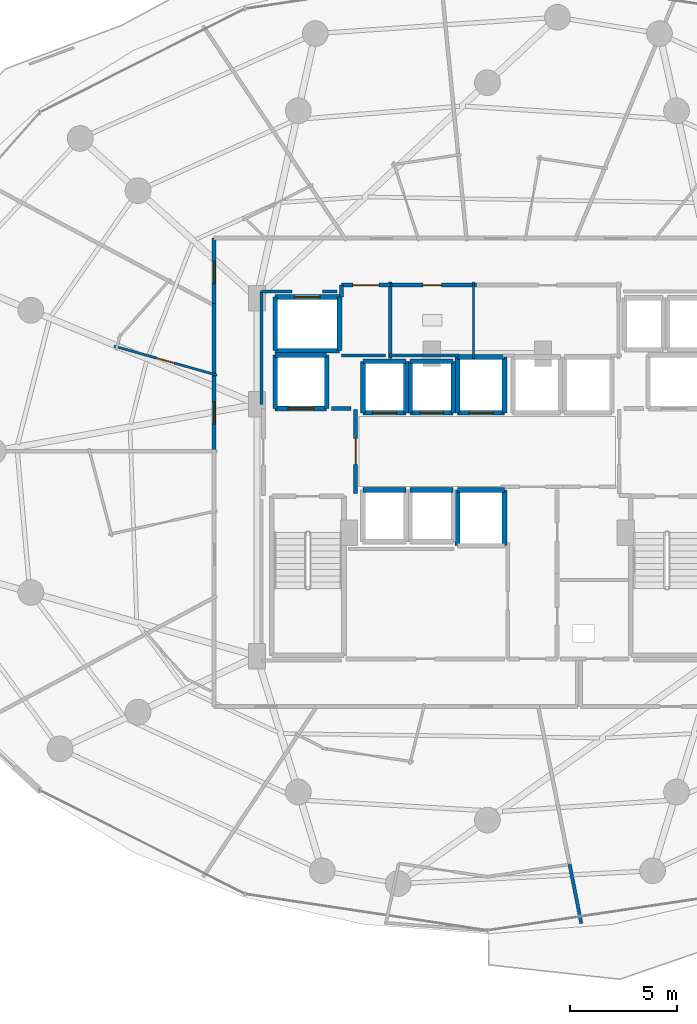
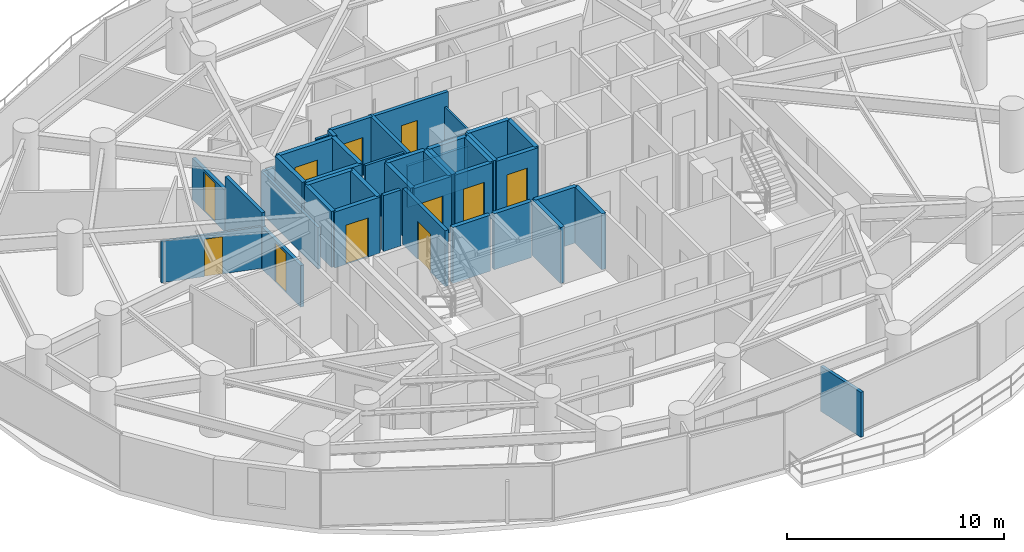
# One storey, part 27 of 34: 42 walls, 11 doors, 11 openings.
"""IFC4 building model written with IfcOpenShell, lengths in metres."""

from ifc_helpers import new_model, si_unit, direction, frame, frame_2d, origin, place, context, subcontext, project, spatial, rectangle, extrude, material, layer, layer_set, type_object, element, fill, save


model = new_model("IFC4")

# Units and contexts
model_context = context("Model", 3, precision=1e-05, world=origin(), true_north=direction((0.0, 1.0)))
body_context = subcontext(model_context, "Body", "Model", "MODEL_VIEW")
ifc_project = project(units=[si_unit("LENGTHUNIT", "METRE"), si_unit("AREAUNIT", "SQUARE_METRE"), si_unit("VOLUMEUNIT", "CUBIC_METRE"), si_unit("PLANEANGLEUNIT", "RADIAN"), si_unit("MASSUNIT", "GRAM", prefix="KILO")], contexts=[model_context])

# Site, building, storey
site_placement = place(None, origin())
site = spatial("IfcSite", under=ifc_project, at=site_placement, CompositionType="ELEMENT")
building_placement = place(site_placement, origin())
building = spatial("IfcBuilding", under=site, at=building_placement, Name="Vorneva Point Tower", CompositionType="ELEMENT")
storey_placement = place(building_placement, frame((0.0, 0.0, 66.0)))
storey = spatial("IfcBuildingStorey", under=building, at=storey_placement, Name="L17", CompositionType="ELEMENT", Elevation=66.0)

# Wall, opening, door
ifc_material_1 = material(Name="Concrete B60 (C50/60)", Category="concrete")
ifc_layer_1 = layer(ifc_material_1, 0.5)
ifc_layer_set_1 = layer_set([ifc_layer_1], Name="Concrete B60 (C50/60)")
wall_type_1 = type_object("IfcWallType", Name="WL-CORE-500", PredefinedType="SHEAR", material=ifc_layer_set_1)
wall_1_placement = place(storey_placement, frame((28.10009765625, 28.0, 0.0), z_axis=(0.0, 0.0, 1.0), x_axis=(1.0, 0.0, 0.0)))
wall_1 = element("IfcWall", 1, at=wall_1_placement, inside=storey, type_object=wall_type_1, Name="L17 Lift FFL1 Shaft Wall -Y", PredefinedType="SHEAR", context=body_context, shape_type="SweptSolid", body=[
    extrude(rectangle(XDim=2.39990234375, YDim=0.219970703125, at=frame_2d((1.199951171875, 0.0))), origin(), (0.0, 0.0, 1.0), 3.14990234375),
])
opening_1_placement = place(wall_1_placement, frame((0.60009765625, 0.0, 0.0)))
opening_1 = element("IfcOpeningElement", 2, at=opening_1_placement, cuts=wall_1, Name="Opening LD-02", PredefinedType="OPENING", context=body_context, shape_type="SweptSolid", body=[
    extrude(rectangle(XDim=1.199951171875, YDim=2.199951171875, at=frame_2d((0.60009765625, 1.10009765625))), frame((0.0, 0.125, 0.0), z_axis=(0.0, -1.0, 0.0), x_axis=(1.0, 0.0, 0.0)), (0.0, 0.0, 1.0), 0.249755859375),
])
ifc_material_2 = material(Name="Brushed stainless steel S304", Category="steel")
door_type_1 = type_object("IfcDoorType", Name="LD-FIRE-1200", OperationType="SLIDING_TO_LEFT", PredefinedType="DOOR", material=ifc_material_2)
door_1_placement = place(opening_1_placement, origin())
door_1 = element("IfcDoor", 3, at=door_1_placement, inside=storey, type_object=door_type_1, Name="L17 Lift FFL1 Sliding Landing Door", OperationType="SLIDING_TO_LEFT", OverallHeight=2.199951171875, OverallWidth=1.199951171875, PredefinedType="DOOR", context=body_context, shape_type="SweptSolid", body=[
    extrude(rectangle(XDim=1.199951171875, YDim=2.199951171875, at=frame_2d((0.60009765625, 1.10009765625))), frame((0.0, 0.02490234375, 0.0), z_axis=(0.0, -1.0, 0.0), x_axis=(1.0, 0.0, 0.0)), (0.0, 0.0, 1.0), 0.050048828125),
])
fill(opening_1, door_1)

# Walls
wall_2_placement = place(storey_placement, frame((30.5, 28.0, 0.0), z_axis=(0.0, 0.0, 1.0), x_axis=(0.0, 1.0, 0.0)))
element("IfcWall", 4, at=wall_2_placement, inside=storey, type_object=wall_type_1, Name="L17 Lift FFL1 Shaft Wall +X", PredefinedType="SHEAR", context=body_context, shape_type="SweptSolid", body=[
    extrude(rectangle(XDim=2.5, YDim=0.219970703125, at=frame_2d((1.25, 0.0))), origin(), (0.0, 0.0, 1.0), 3.14990234375),
])
wall_3_placement = place(storey_placement, frame((30.5, 30.5, 0.0), z_axis=(0.0, 0.0, 1.0), x_axis=(-1.0, 0.0, 0.0)))
element("IfcWall", 5, at=wall_3_placement, inside=storey, type_object=wall_type_1, Name="L17 Lift FFL1 Shaft Wall +Y", PredefinedType="SHEAR", context=body_context, shape_type="SweptSolid", body=[
    extrude(rectangle(XDim=2.39990234375, YDim=0.219970703125, at=frame_2d((1.199951171875, 0.0))), origin(), (0.0, 0.0, 1.0), 3.14990234375),
])
wall_4_placement = place(storey_placement, frame((28.10009765625, 30.5, 0.0), z_axis=(0.0, 0.0, 1.0), x_axis=(0.0, -1.0, 0.0)))
element("IfcWall", 6, at=wall_4_placement, inside=storey, type_object=wall_type_1, Name="L17 Lift FFL1 Shaft Wall -X", PredefinedType="SHEAR", context=body_context, shape_type="SweptSolid", body=[
    extrude(rectangle(XDim=2.5, YDim=0.219970703125, at=frame_2d((1.25, 0.0))), origin(), (0.0, 0.0, 1.0), 3.14990234375),
])
ifc_material_3 = material(Name="Fire-rated acoustic gypsum stud partition", Category="gypsum")
ifc_layer_2 = layer(ifc_material_3, 0.110107421875)
ifc_layer_set_2 = layer_set([ifc_layer_2], Name="Fire-rated acoustic gypsum stud partition")
wall_type_2 = type_object("IfcWallType", Name="WL-PART-110", PredefinedType="PARTITIONING", material=ifc_layer_set_2)
wall_5_placement = place(storey_placement, frame((37.35009765625, 30.340087890625, 0.0), z_axis=(0.0, 0.0, 1.0), x_axis=(0.0, 1.0, 0.0)))
element("IfcWall", 7, at=wall_5_placement, inside=storey, type_object=wall_type_2, Name="L17 Interior Partition 017", PredefinedType="PARTITIONING", context=body_context, shape_type="SweptSolid", body=[
    extrude(rectangle(XDim=3.559814453125, YDim=0.110107421875, at=frame_2d((1.77978515625, 0.0))), origin(), (0.0, 0.0, 1.0), 2.342041015625),
])

# Wall, opening, door
wall_6_placement = place(storey_placement, frame((25.384765625, 29.55810546875, 0.0), z_axis=(0.0, 0.0, 1.0), x_axis=(-0.962466408657, 0.271400833098, 0.0)))
wall_6 = element("IfcWall", 8, at=wall_6_placement, inside=storey, type_object=wall_type_2, Name="L17 Interior Partition 072", PredefinedType="PARTITIONING", context=body_context, shape_type="SweptSolid", body=[
    extrude(rectangle(XDim=4.984375, YDim=0.110107421875, at=frame_2d((2.4921875, 0.0))), origin(), (0.0, 0.0, 1.0), 2.342041015625),
])
opening_2_placement = place(wall_6_placement, frame((2.0673828125, 0.0, 0.0)))
opening_2 = element("IfcOpeningElement", 9, at=opening_2_placement, cuts=wall_6, Name="Opening ID-02", PredefinedType="OPENING", context=body_context, shape_type="SweptSolid", body=[
    extrude(rectangle(XDim=0.85009765625, YDim=2.10009765625, at=frame_2d((0.425048828125, 1.050048828125))), frame((0.0, 0.06982421875, 0.0), z_axis=(0.0, -1.0, 0.0), x_axis=(1.0, 0.0, 0.0)), (0.0, 0.0, 1.0), 0.139892578125),
])
ifc_material_4 = material(Name="Engineered oak fire-rated door leaf", Category="wood")
door_type_2 = type_object("IfcDoorType", Name="DR-BATH-850", OperationType="NOTDEFINED", PredefinedType="DOOR", material=ifc_material_4)
door_2_placement = place(opening_2_placement, origin())
door_2 = element("IfcDoor", 10, at=door_2_placement, inside=storey, type_object=door_type_2, Name="L17 Door Junior Suite L17-06 / En-Suite Bathroom L17-06", OperationType="SINGLE_SWING_RIGHT", OverallHeight=2.10009765625, OverallWidth=0.85009765625, PredefinedType="DOOR", context=body_context, shape_type="SweptSolid", body=[
    extrude(rectangle(XDim=0.85009765625, YDim=2.10009765625, at=frame_2d((0.425048828125, 1.050048828125))), frame((0.0, 0.02490234375, 0.0), z_axis=(0.0, -1.0, 0.0), x_axis=(1.0, 0.0, 0.0)), (0.0, 0.0, 1.0), 0.050048828125),
])
fill(opening_2, door_2)

# Walls
ifc_layer_3 = layer(ifc_material_3, 0.139892578125)
ifc_layer_set_3 = layer_set([ifc_layer_3], Name="Fire-rated acoustic gypsum stud partition")
wall_type_3 = type_object("IfcWallType", Name="WL-PART-140", PredefinedType="PARTITIONING", material=ifc_layer_set_3)
wall_7_placement = place(storey_placement, frame((31.199951171875, 30.47998046875, 0.0), z_axis=(0.0, 0.0, 1.0), x_axis=(1.0, 0.0, 0.0)))
element("IfcWall", 11, at=wall_7_placement, inside=storey, type_object=wall_type_3, Name="L17 Interior Closure Partition 094", PredefinedType="PARTITIONING", context=body_context, shape_type="SweptSolid", body=[
    extrude(rectangle(XDim=2.050048828125, YDim=0.139892578125, at=frame_2d((1.02490234375, 0.0))), origin(), (0.0, 0.0, 1.0), 3.14990234375),
])
wall_8_placement = place(storey_placement, frame((33.43994140625, 30.47998046875, 0.0), z_axis=(0.0, 0.0, 1.0), x_axis=(1.0, 0.0, 0.0)))
element("IfcWall", 12, at=wall_8_placement, inside=storey, type_object=wall_type_3, Name="L17 Interior Closure Partition 095", PredefinedType="PARTITIONING", context=body_context, shape_type="SweptSolid", body=[
    extrude(rectangle(XDim=3.22509765625, YDim=0.139892578125, at=frame_2d((1.612548828125, 0.0))), origin(), (0.0, 0.0, 1.0), 2.342041015625),
])
wall_9_placement = place(storey_placement, frame((27.449951171875, 28.196044921875, 0.0), z_axis=(0.0, 0.0, 1.0), x_axis=(0.0, 1.0, 0.0)))
element("IfcWall", 13, at=wall_9_placement, inside=storey, type_object=wall_type_3, Name="L17 Interior Closure Partition 106", PredefinedType="PARTITIONING", context=body_context, shape_type="SweptSolid", body=[
    extrude(rectangle(XDim=5.25390625, YDim=0.139892578125, at=frame_2d((2.626953125, 0.0))), origin(), (0.0, 0.0, 1.0), 2.342041015625),
])
wall_10_placement = place(storey_placement, frame((27.449951171875, 33.449951171875, 0.0), z_axis=(0.0, 0.0, 1.0), x_axis=(1.0, 0.0, 0.0)))
element("IfcWall", 14, at=wall_10_placement, inside=storey, type_object=wall_type_3, Name="L17 Interior Closure Partition 107", PredefinedType="PARTITIONING", context=body_context, shape_type="SweptSolid", body=[
    extrude(rectangle(XDim=1.444091796875, YDim=0.139892578125, at=frame_2d((0.72216796875, 0.0))), origin(), (0.0, 0.0, 1.0), 2.342041015625),
])
wall_11_placement = place(storey_placement, frame((30.305908203125, 33.449951171875, 0.0), z_axis=(0.0, 0.0, 1.0), x_axis=(1.0, 0.0, 0.0)))
element("IfcWall", 15, at=wall_11_placement, inside=storey, type_object=wall_type_3, Name="L17 Interior Closure Partition 108", PredefinedType="PARTITIONING", context=body_context, shape_type="SweptSolid", body=[
    extrude(rectangle(XDim=0.674072265625, YDim=0.139892578125, at=frame_2d((0.3369140625, 0.0))), origin(), (0.0, 0.0, 1.0), 3.14990234375),
])
ifc_layer_4 = layer(ifc_material_3, 0.159912109375)
ifc_layer_set_4 = layer_set([ifc_layer_4], Name="Fire-rated acoustic gypsum stud partition")
wall_type_4 = type_object("IfcWallType", Name="WL-PART-160", PredefinedType="PARTITIONING", material=ifc_layer_set_4)
wall_12_placement = place(storey_placement, frame((42.381103515625, 3.97705078125, 0.0), z_axis=(0.0, 0.0, 1.0), x_axis=(-0.195063341769, 0.980790646722, 0.0)))
element("IfcWall", 16, at=wall_12_placement, inside=storey, type_object=wall_type_4, Name="L17 Interior Partition 090", PredefinedType="PARTITIONING", context=body_context, shape_type="SweptSolid", body=[
    extrude(rectangle(XDim=2.809814453125, YDim=0.159912109375, at=frame_2d((1.40478515625, 0.0))), origin(), (0.0, 0.0, 1.0), 2.533935546875),
])

# Wall, opening, door
ifc_material_5 = material(Name="Autoclaved aerated concrete blockwork", Category="masonry")
ifc_layer_5 = layer(ifc_material_5, 0.179931640625)
ifc_layer_set_5 = layer_set([ifc_layer_5], Name="Autoclaved aerated concrete blockwork")
wall_type_5 = type_object("IfcWallType", Name="WL-PART-180", PredefinedType="PARTITIONING", material=ifc_layer_set_5)
wall_13_placement = place(storey_placement, frame((31.85009765625, 24.044921875, 0.0), z_axis=(0.0, 0.0, 1.0), x_axis=(0.0, 1.0, 0.0)))
wall_13 = element("IfcWall", 17, at=wall_13_placement, inside=storey, type_object=wall_type_5, Name="L17 Interior Partition 001", PredefinedType="PARTITIONING", context=body_context, shape_type="SweptSolid", body=[
    extrude(rectangle(XDim=3.91015625, YDim=0.179931640625, at=frame_2d((1.955078125, 0.0))), origin(), (0.0, 0.0, 1.0), 3.14990234375),
])
opening_3_placement = place(wall_13_placement, frame((1.35498046875, 0.0, 0.0)))
opening_3 = element("IfcOpeningElement", 18, at=opening_3_placement, cuts=wall_13, Name="Opening FD-02", PredefinedType="OPENING", context=body_context, shape_type="SweptSolid", body=[
    extrude(rectangle(XDim=1.199951171875, YDim=2.14990234375, at=frame_2d((0.60009765625, 1.074951171875))), frame((0.0, 0.10498046875, 0.0), z_axis=(0.0, -1.0, 0.0), x_axis=(1.0, 0.0, 0.0)), (0.0, 0.0, 1.0), 0.209716796875),
])
ifc_material_6 = material(Name="Fire-rated powder-coated steel", Category="steel")
door_type_3 = type_object("IfcDoorType", Name="DR-FFL-1200", OperationType="NOTDEFINED", PredefinedType="DOOR", material=ifc_material_6)
door_3_placement = place(opening_3_placement, origin())
door_3 = element("IfcDoor", 19, at=door_3_placement, inside=storey, type_object=door_type_3, Name="L17 Door West Firefighting Lobby / Central Lift Lobby", OperationType="SINGLE_SWING_LEFT", OverallHeight=2.14990234375, OverallWidth=1.199951171875, PredefinedType="DOOR", context=body_context, shape_type="SweptSolid", body=[
    extrude(rectangle(XDim=1.199951171875, YDim=2.14990234375, at=frame_2d((0.60009765625, 1.074951171875))), frame((0.0, 0.02490234375, 0.0), z_axis=(0.0, -1.0, 0.0), x_axis=(1.0, 0.0, 0.0)), (0.0, 0.0, 1.0), 0.050048828125),
])
fill(opening_3, door_3)

# Wall
wall_14_placement = place(storey_placement, frame((33.469970703125, 30.340087890625, 0.0), z_axis=(0.0, 0.0, 1.0), x_axis=(0.0, 1.0, 0.0)))
element("IfcWall", 20, at=wall_14_placement, inside=storey, type_object=wall_type_5, Name="L17 Interior Partition 006", PredefinedType="PARTITIONING", context=body_context, shape_type="SweptSolid", body=[
    extrude(rectangle(XDim=3.559814453125, YDim=0.179931640625, at=frame_2d((1.77978515625, 0.0))), origin(), (0.0, 0.0, 1.0), 3.14990234375),
])

# Wall, opening, door
wall_15_placement = place(storey_placement, frame((33.469970703125, 33.760009765625, 0.0), z_axis=(0.0, 0.0, 1.0), x_axis=(-1.0, 0.0, 0.0)))
wall_15 = element("IfcWall", 21, at=wall_15_placement, inside=storey, type_object=wall_type_5, Name="L17 Interior Partition 007", PredefinedType="PARTITIONING", context=body_context, shape_type="SweptSolid", body=[
    extrude(rectangle(XDim=2.27001953125, YDim=0.179931640625, at=frame_2d((1.135009765625, 0.0))), origin(), (0.0, 0.0, 1.0), 3.14990234375),
])
opening_4_placement = place(wall_15_placement, frame((0.534912109375, 0.0, 0.0)))
opening_4 = element("IfcOpeningElement", 22, at=opening_4_placement, cuts=wall_15, Name="Opening FD-02", PredefinedType="OPENING", context=body_context, shape_type="SweptSolid", body=[
    extrude(rectangle(XDim=1.199951171875, YDim=2.14990234375, at=frame_2d((0.60009765625, 1.074951171875))), frame((0.0, 0.10498046875, 0.0), z_axis=(0.0, -1.0, 0.0), x_axis=(1.0, 0.0, 0.0)), (0.0, 0.0, 1.0), 0.209716796875),
])
door_4_placement = place(opening_4_placement, origin())
door_4 = element("IfcDoor", 23, at=door_4_placement, inside=storey, type_object=door_type_3, Name="L17 Door Service Lift Lobby / L17 Circulation Corridor", OperationType="SINGLE_SWING_LEFT", OverallHeight=2.14990234375, OverallWidth=1.199951171875, PredefinedType="DOOR", context=body_context, shape_type="SweptSolid", body=[
    extrude(rectangle(XDim=1.199951171875, YDim=2.14990234375, at=frame_2d((0.60009765625, 1.074951171875))), frame((0.0, 0.02490234375, 0.0), z_axis=(0.0, -1.0, 0.0), x_axis=(1.0, 0.0, 0.0)), (0.0, 0.0, 1.0), 0.050048828125),
])
fill(opening_4, door_4)

# Wall
wall_16_placement = place(storey_placement, frame((31.199951171875, 33.760009765625, 0.0), z_axis=(0.0, 0.0, 1.0), x_axis=(0.0, -1.0, 0.0)))
element("IfcWall", 24, at=wall_16_placement, inside=storey, type_object=wall_type_5, Name="L17 Interior Partition 008", PredefinedType="PARTITIONING", context=body_context, shape_type="SweptSolid", body=[
    extrude(rectangle(XDim=0.56005859375, YDim=0.179931640625, at=frame_2d((0.280029296875, 0.0))), origin(), (0.0, 0.0, 1.0), 3.14990234375),
])

# Wall, opening, door
wall_17_placement = place(storey_placement, frame((37.489990234375, 33.760009765625, 0.0), z_axis=(0.0, 0.0, 1.0), x_axis=(-1.0, 0.0, 0.0)))
wall_17 = element("IfcWall", 25, at=wall_17_placement, inside=storey, type_object=wall_type_5, Name="L17 Interior Partition 018", PredefinedType="PARTITIONING", context=body_context, shape_type="SweptSolid", body=[
    extrude(rectangle(XDim=4.1298828125, YDim=0.179931640625, at=frame_2d((2.06494140625, 0.0))), origin(), (0.0, 0.0, 1.0), 3.14990234375),
])
opening_5_placement = place(wall_17_placement, frame((1.639892578125, 0.0, 0.0)))
opening_5 = element("IfcOpeningElement", 26, at=opening_5_placement, cuts=wall_17, Name="Opening ID-02", PredefinedType="OPENING", context=body_context, shape_type="SweptSolid", body=[
    extrude(rectangle(XDim=0.85009765625, YDim=2.10009765625, at=frame_2d((0.425048828125, 1.050048828125))), frame((0.0, 0.10498046875, 0.0), z_axis=(0.0, -1.0, 0.0), x_axis=(1.0, 0.0, 0.0)), (0.0, 0.0, 1.0), 0.209716796875),
])
door_5_placement = place(opening_5_placement, origin())
door_5 = element("IfcDoor", 27, at=door_5_placement, inside=storey, type_object=door_type_2, Name="L17 Door Accessible WC / L17 Circulation Corridor", OperationType="SINGLE_SWING_LEFT", OverallHeight=2.10009765625, OverallWidth=0.85009765625, PredefinedType="DOOR", context=body_context, shape_type="SweptSolid", body=[
    extrude(rectangle(XDim=0.85009765625, YDim=2.10009765625, at=frame_2d((0.425048828125, 1.050048828125))), frame((0.0, 0.02490234375, 0.0), z_axis=(0.0, -1.0, 0.0), x_axis=(1.0, 0.0, 0.0)), (0.0, 0.0, 1.0), 0.050048828125),
])
fill(opening_5, door_5)

wall_18_placement = place(storey_placement, frame((25.25, 35.949951171875, 0.0), z_axis=(0.0, 0.0, 1.0), x_axis=(0.0, -1.0, 0.0)))
wall_18 = element("IfcWall", 28, at=wall_18_placement, inside=storey, type_object=wall_type_5, Name="L17 Interior Partition 032", PredefinedType="PARTITIONING", context=body_context, shape_type="SweptSolid", body=[
    extrude(rectangle(XDim=3.195068359375, YDim=0.179931640625, at=frame_2d((1.59765625, 0.0))), origin(), (0.0, 0.0, 1.0), 2.342041015625),
])
opening_6_placement = place(wall_18_placement, frame((1.072509765625, 0.0, 0.0)))
opening_6 = element("IfcOpeningElement", 29, at=opening_6_placement, cuts=wall_18, Name="Opening UD-02", PredefinedType="OPENING", context=body_context, shape_type="SweptSolid", body=[
    extrude(rectangle(XDim=1.050048828125, YDim=2.199951171875, at=frame_2d((0.52490234375, 1.10009765625))), frame((0.0, 0.10498046875, 0.0), z_axis=(0.0, -1.0, 0.0), x_axis=(1.0, 0.0, 0.0)), (0.0, 0.0, 1.0), 0.209716796875),
])
door_type_4 = type_object("IfcDoorType", Name="DR-SUITE-1050", OperationType="NOTDEFINED", PredefinedType="DOOR", material=ifc_material_4)
door_6_placement = place(opening_6_placement, origin())
door_6 = element("IfcDoor", 30, at=door_6_placement, inside=storey, type_object=door_type_4, Name="L17 Door L17 Circulation Corridor / Corner Suite L17-05", OperationType="SINGLE_SWING_RIGHT", OverallHeight=2.199951171875, OverallWidth=1.050048828125, PredefinedType="DOOR", context=body_context, shape_type="SweptSolid", body=[
    extrude(rectangle(XDim=1.050048828125, YDim=2.199951171875, at=frame_2d((0.52490234375, 1.10009765625))), frame((0.0, 0.02490234375, 0.0), z_axis=(0.0, -1.0, 0.0), x_axis=(1.0, 0.0, 0.0)), (0.0, 0.0, 1.0), 0.050048828125),
])
fill(opening_6, door_6)

wall_19_placement = place(storey_placement, frame((25.25, 29.657958984375, 0.0), z_axis=(0.0, 0.0, 1.0), x_axis=(0.0, -1.0, 0.0)))
wall_19 = element("IfcWall", 31, at=wall_19_placement, inside=storey, type_object=wall_type_5, Name="L17 Interior Partition 034", PredefinedType="PARTITIONING", context=body_context, shape_type="SweptSolid", body=[
    extrude(rectangle(XDim=3.718017578125, YDim=0.179931640625, at=frame_2d((1.85888671875, 0.0))), origin(), (0.0, 0.0, 1.0), 2.342041015625),
])
opening_7_placement = place(wall_19_placement, frame((1.333984375, 0.0, 0.0)))
opening_7 = element("IfcOpeningElement", 32, at=opening_7_placement, cuts=wall_19, Name="Opening UD-02", PredefinedType="OPENING", context=body_context, shape_type="SweptSolid", body=[
    extrude(rectangle(XDim=1.050048828125, YDim=2.199951171875, at=frame_2d((0.52490234375, 1.10009765625))), frame((0.0, 0.10498046875, 0.0), z_axis=(0.0, -1.0, 0.0), x_axis=(1.0, 0.0, 0.0)), (0.0, 0.0, 1.0), 0.209716796875),
])
door_7_placement = place(opening_7_placement, origin())
door_7 = element("IfcDoor", 33, at=door_7_placement, inside=storey, type_object=door_type_4, Name="L17 Door L17 Circulation Corridor / Junior Suite L17-06", OperationType="SINGLE_SWING_LEFT", OverallHeight=2.199951171875, OverallWidth=1.050048828125, PredefinedType="DOOR", context=body_context, shape_type="SweptSolid", body=[
    extrude(rectangle(XDim=1.050048828125, YDim=2.199951171875, at=frame_2d((0.52490234375, 1.10009765625))), frame((0.0, 0.02490234375, 0.0), z_axis=(0.0, -1.0, 0.0), x_axis=(1.0, 0.0, 0.0)), (0.0, 0.0, 1.0), 0.050048828125),
])
fill(opening_7, door_7)

# Walls
wall_20_placement = place(storey_placement, frame((25.25, 32.89501953125, 0.0), z_axis=(0.0, 0.0, 1.0), x_axis=(0.0, -1.0, 0.0)))
element("IfcWall", 34, at=wall_20_placement, inside=storey, type_object=wall_type_5, Name="L17 Interior Partition 035", PredefinedType="PARTITIONING", context=body_context, shape_type="SweptSolid", body=[
    extrude(rectangle(XDim=3.376953125, YDim=0.179931640625, at=frame_2d((1.6884765625, 0.0))), origin(), (0.0, 0.0, 1.0), 3.14990234375),
])
wall_21_placement = place(storey_placement, frame((31.635009765625, 28.0, 0.0), z_axis=(0.0, 0.0, 1.0), x_axis=(-1.0, 0.0, 0.0)))
element("IfcWall", 35, at=wall_21_placement, inside=storey, type_object=wall_type_5, Name="L17 Interior Closure Partition 092", PredefinedType="PARTITIONING", context=body_context, shape_type="SweptSolid", body=[
    extrude(rectangle(XDim=0.9150390625, YDim=0.179931640625, at=frame_2d((0.45751953125, 0.0))), origin(), (0.0, 0.0, 1.0), 3.14990234375),
])

# Wall, opening, door
ifc_material_7 = material(Name="Concrete B50 (C40/50)", Category="concrete")
ifc_layer_6 = layer(ifc_material_7, 0.219970703125)
ifc_layer_set_6 = layer_set([ifc_layer_6], Name="Concrete B50 (C40/50)")
wall_type_6 = type_object("IfcWallType", Name="WL-SHFT-220", PredefinedType="SOLIDWALL", material=ifc_layer_set_6)
wall_22_placement = place(storey_placement, frame((32.199951171875, 27.800048828125, 0.0), z_axis=(0.0, 0.0, 1.0), x_axis=(1.0, 0.0, 0.0)))
wall_22 = element("IfcWall", 36, at=wall_22_placement, inside=storey, type_object=wall_type_6, Name="L17 Lift PL1 Shaft Wall -Y", PredefinedType="SOLIDWALL", context=body_context, shape_type="SweptSolid", body=[
    extrude(rectangle(XDim=2.0, YDim=0.219970703125, at=frame_2d((1.0, 0.0))), origin(), (0.0, 0.0, 1.0), 3.14990234375),
])
opening_8_placement = place(wall_22_placement, frame((0.449951171875, 0.0, 0.0)))
opening_8 = element("IfcOpeningElement", 37, at=opening_8_placement, cuts=wall_22, Name="Opening LD-01", PredefinedType="OPENING", context=body_context, shape_type="SweptSolid", body=[
    extrude(rectangle(XDim=1.10009765625, YDim=2.199951171875, at=frame_2d((0.550048828125, 1.10009765625))), frame((0.0, 0.125, 0.0), z_axis=(0.0, -1.0, 0.0), x_axis=(1.0, 0.0, 0.0)), (0.0, 0.0, 1.0), 0.249755859375),
])
door_type_5 = type_object("IfcDoorType", Name="LD-PASS-1100", OperationType="SLIDING_TO_LEFT", PredefinedType="DOOR", material=ifc_material_2)
door_8_placement = place(opening_8_placement, origin())
door_8 = element("IfcDoor", 38, at=door_8_placement, inside=storey, type_object=door_type_5, Name="L17 Lift PL1 Sliding Landing Door", OperationType="SLIDING_TO_LEFT", OverallHeight=2.199951171875, OverallWidth=1.10009765625, PredefinedType="DOOR", context=body_context, shape_type="SweptSolid", body=[
    extrude(rectangle(XDim=1.10009765625, YDim=2.199951171875, at=frame_2d((0.550048828125, 1.10009765625))), frame((0.0, 0.02490234375, 0.0), z_axis=(0.0, -1.0, 0.0), x_axis=(1.0, 0.0, 0.0)), (0.0, 0.0, 1.0), 0.050048828125),
])
fill(opening_8, door_8)

# Walls
wall_23_placement = place(storey_placement, frame((34.199951171875, 27.800048828125, 0.0), z_axis=(0.0, 0.0, 1.0), x_axis=(0.0, 1.0, 0.0)))
element("IfcWall", 39, at=wall_23_placement, inside=storey, type_object=wall_type_6, Name="L17 Lift PL1 Shaft Wall +X", PredefinedType="SOLIDWALL", context=body_context, shape_type="SweptSolid", body=[
    extrude(rectangle(XDim=2.39990234375, YDim=0.219970703125, at=frame_2d((1.199951171875, 0.0))), origin(), (0.0, 0.0, 1.0), 3.14990234375),
])
wall_24_placement = place(storey_placement, frame((34.199951171875, 30.199951171875, 0.0), z_axis=(0.0, 0.0, 1.0), x_axis=(-1.0, 0.0, 0.0)))
element("IfcWall", 40, at=wall_24_placement, inside=storey, type_object=wall_type_6, Name="L17 Lift PL1 Shaft Wall +Y", PredefinedType="SOLIDWALL", context=body_context, shape_type="SweptSolid", body=[
    extrude(rectangle(XDim=2.0, YDim=0.219970703125, at=frame_2d((1.0, 0.0))), origin(), (0.0, 0.0, 1.0), 3.14990234375),
])
wall_25_placement = place(storey_placement, frame((32.199951171875, 30.199951171875, 0.0), z_axis=(0.0, 0.0, 1.0), x_axis=(0.0, -1.0, 0.0)))
element("IfcWall", 41, at=wall_25_placement, inside=storey, type_object=wall_type_6, Name="L17 Lift PL1 Shaft Wall -X", PredefinedType="SOLIDWALL", context=body_context, shape_type="SweptSolid", body=[
    extrude(rectangle(XDim=2.39990234375, YDim=0.219970703125, at=frame_2d((1.199951171875, 0.0))), origin(), (0.0, 0.0, 1.0), 3.14990234375),
])

# Wall, opening, door
wall_26_placement = place(storey_placement, frame((34.39990234375, 27.800048828125, 0.0), z_axis=(0.0, 0.0, 1.0), x_axis=(1.0, 0.0, 0.0)))
wall_26 = element("IfcWall", 42, at=wall_26_placement, inside=storey, type_object=wall_type_6, Name="L17 Lift PL2 Shaft Wall -Y", PredefinedType="SOLIDWALL", context=body_context, shape_type="SweptSolid", body=[
    extrude(rectangle(XDim=2.0, YDim=0.219970703125, at=frame_2d((1.0, 0.0))), origin(), (0.0, 0.0, 1.0), 3.14990234375),
])
opening_9_placement = place(wall_26_placement, frame((0.449951171875, 0.0, 0.0)))
opening_9 = element("IfcOpeningElement", 43, at=opening_9_placement, cuts=wall_26, Name="Opening LD-01", PredefinedType="OPENING", context=body_context, shape_type="SweptSolid", body=[
    extrude(rectangle(XDim=1.10009765625, YDim=2.199951171875, at=frame_2d((0.550048828125, 1.10009765625))), frame((0.0, 0.125, 0.0), z_axis=(0.0, -1.0, 0.0), x_axis=(1.0, 0.0, 0.0)), (0.0, 0.0, 1.0), 0.249755859375),
])
door_9_placement = place(opening_9_placement, origin())
door_9 = element("IfcDoor", 44, at=door_9_placement, inside=storey, type_object=door_type_5, Name="L17 Lift PL2 Sliding Landing Door", OperationType="SLIDING_TO_LEFT", OverallHeight=2.199951171875, OverallWidth=1.10009765625, PredefinedType="DOOR", context=body_context, shape_type="SweptSolid", body=[
    extrude(rectangle(XDim=1.10009765625, YDim=2.199951171875, at=frame_2d((0.550048828125, 1.10009765625))), frame((0.0, 0.02490234375, 0.0), z_axis=(0.0, -1.0, 0.0), x_axis=(1.0, 0.0, 0.0)), (0.0, 0.0, 1.0), 0.050048828125),
])
fill(opening_9, door_9)

# Walls
wall_27_placement = place(storey_placement, frame((36.39990234375, 27.800048828125, 0.0), z_axis=(0.0, 0.0, 1.0), x_axis=(0.0, 1.0, 0.0)))
element("IfcWall", 45, at=wall_27_placement, inside=storey, type_object=wall_type_6, Name="L17 Lift PL2 Shaft Wall +X", PredefinedType="SOLIDWALL", context=body_context, shape_type="SweptSolid", body=[
    extrude(rectangle(XDim=2.39990234375, YDim=0.219970703125, at=frame_2d((1.199951171875, 0.0))), origin(), (0.0, 0.0, 1.0), 3.14990234375),
])
wall_28_placement = place(storey_placement, frame((36.39990234375, 30.199951171875, 0.0), z_axis=(0.0, 0.0, 1.0), x_axis=(-1.0, 0.0, 0.0)))
element("IfcWall", 46, at=wall_28_placement, inside=storey, type_object=wall_type_6, Name="L17 Lift PL2 Shaft Wall +Y", PredefinedType="SOLIDWALL", context=body_context, shape_type="SweptSolid", body=[
    extrude(rectangle(XDim=2.0, YDim=0.219970703125, at=frame_2d((1.0, 0.0))), origin(), (0.0, 0.0, 1.0), 3.14990234375),
])
wall_29_placement = place(storey_placement, frame((34.39990234375, 30.199951171875, 0.0), z_axis=(0.0, 0.0, 1.0), x_axis=(0.0, -1.0, 0.0)))
element("IfcWall", 47, at=wall_29_placement, inside=storey, type_object=wall_type_6, Name="L17 Lift PL2 Shaft Wall -X", PredefinedType="SOLIDWALL", context=body_context, shape_type="SweptSolid", body=[
    extrude(rectangle(XDim=2.39990234375, YDim=0.219970703125, at=frame_2d((1.199951171875, 0.0))), origin(), (0.0, 0.0, 1.0), 3.14990234375),
])

# Wall, opening, door
wall_30_placement = place(storey_placement, frame((36.60009765625, 27.800048828125, 0.0), z_axis=(0.0, 0.0, 1.0), x_axis=(1.0, 0.0, 0.0)))
wall_30 = element("IfcWall", 48, at=wall_30_placement, inside=storey, type_object=wall_type_6, Name="L17 Lift PL3 Shaft Wall -Y", PredefinedType="SOLIDWALL", context=body_context, shape_type="SweptSolid", body=[
    extrude(rectangle(XDim=2.199951171875, YDim=0.219970703125, at=frame_2d((1.10009765625, 0.0))), origin(), (0.0, 0.0, 1.0), 3.14990234375),
])
opening_10_placement = place(wall_30_placement, frame((0.550048828125, 0.0, 0.0)))
opening_10 = element("IfcOpeningElement", 49, at=opening_10_placement, cuts=wall_30, Name="Opening LD-01", PredefinedType="OPENING", context=body_context, shape_type="SweptSolid", body=[
    extrude(rectangle(XDim=1.10009765625, YDim=2.199951171875, at=frame_2d((0.550048828125, 1.10009765625))), frame((0.0, 0.125, 0.0), z_axis=(0.0, -1.0, 0.0), x_axis=(1.0, 0.0, 0.0)), (0.0, 0.0, 1.0), 0.249755859375),
])
door_10_placement = place(opening_10_placement, origin())
door_10 = element("IfcDoor", 50, at=door_10_placement, inside=storey, type_object=door_type_5, Name="L17 Lift PL3 Sliding Landing Door", OperationType="SLIDING_TO_LEFT", OverallHeight=2.199951171875, OverallWidth=1.10009765625, PredefinedType="DOOR", context=body_context, shape_type="SweptSolid", body=[
    extrude(rectangle(XDim=1.10009765625, YDim=2.199951171875, at=frame_2d((0.550048828125, 1.10009765625))), frame((0.0, 0.02490234375, 0.0), z_axis=(0.0, -1.0, 0.0), x_axis=(1.0, 0.0, 0.0)), (0.0, 0.0, 1.0), 0.050048828125),
])
fill(opening_10, door_10)

# Walls
wall_31_placement = place(storey_placement, frame((38.800048828125, 27.800048828125, 0.0), z_axis=(0.0, 0.0, 1.0), x_axis=(0.0, 1.0, 0.0)))
element("IfcWall", 51, at=wall_31_placement, inside=storey, type_object=wall_type_6, Name="L17 Lift PL3 Shaft Wall +X", PredefinedType="SOLIDWALL", context=body_context, shape_type="SweptSolid", body=[
    extrude(rectangle(XDim=2.599853515625, YDim=0.219970703125, at=frame_2d((1.2998046875, 0.0))), origin(), (0.0, 0.0, 1.0), 3.14990234375),
])
wall_32_placement = place(storey_placement, frame((38.800048828125, 30.39990234375, 0.0), z_axis=(0.0, 0.0, 1.0), x_axis=(-1.0, 0.0, 0.0)))
element("IfcWall", 52, at=wall_32_placement, inside=storey, type_object=wall_type_6, Name="L17 Lift PL3 Shaft Wall +Y", PredefinedType="SOLIDWALL", context=body_context, shape_type="SweptSolid", body=[
    extrude(rectangle(XDim=2.199951171875, YDim=0.219970703125, at=frame_2d((1.10009765625, 0.0))), origin(), (0.0, 0.0, 1.0), 3.14990234375),
])
wall_33_placement = place(storey_placement, frame((36.60009765625, 30.39990234375, 0.0), z_axis=(0.0, 0.0, 1.0), x_axis=(0.0, -1.0, 0.0)))
element("IfcWall", 53, at=wall_33_placement, inside=storey, type_object=wall_type_6, Name="L17 Lift PL3 Shaft Wall -X", PredefinedType="SOLIDWALL", context=body_context, shape_type="SweptSolid", body=[
    extrude(rectangle(XDim=2.599853515625, YDim=0.219970703125, at=frame_2d((1.2998046875, 0.0))), origin(), (0.0, 0.0, 1.0), 3.14990234375),
])
for number, where, z_axis, x_axis, name in (
    (54, (34.199951171875, 24.199951171875, 0.0), (0.0, 0.0, 1.0), (-1.0, 0.0, 0.0), "L17 Lift PL4 Shaft Wall +Y"),
    (55, (36.39990234375, 24.199951171875, 0.0), (0.0, 0.0, 1.0), (-1.0, 0.0, 0.0), "L17 Lift PL5 Shaft Wall +Y"),
):
    element("IfcWall", number, at=place(storey_placement, frame(where, z_axis=z_axis, x_axis=x_axis)), inside=storey, type_object=wall_type_6, Name=name, PredefinedType="SOLIDWALL", context=body_context, shape_type="SweptSolid", body=[
        extrude(rectangle(XDim=2.0, YDim=0.219970703125, at=frame_2d((1.0, 0.0))), origin(), (0.0, 0.0, 1.0), 3.14990234375),
    ])
wall_34_placement = place(storey_placement, frame((38.800048828125, 21.60009765625, 0.0), z_axis=(0.0, 0.0, 1.0), x_axis=(0.0, 1.0, 0.0)))
element("IfcWall", 56, at=wall_34_placement, inside=storey, type_object=wall_type_6, Name="L17 Lift PL6 Shaft Wall +X", PredefinedType="SOLIDWALL", context=body_context, shape_type="SweptSolid", body=[
    extrude(rectangle(XDim=2.599853515625, YDim=0.219970703125, at=frame_2d((1.2998046875, 0.0))), origin(), (0.0, 0.0, 1.0), 3.14990234375),
])
wall_35_placement = place(storey_placement, frame((38.800048828125, 24.199951171875, 0.0), z_axis=(0.0, 0.0, 1.0), x_axis=(-1.0, 0.0, 0.0)))
element("IfcWall", 57, at=wall_35_placement, inside=storey, type_object=wall_type_6, Name="L17 Lift PL6 Shaft Wall +Y", PredefinedType="SOLIDWALL", context=body_context, shape_type="SweptSolid", body=[
    extrude(rectangle(XDim=2.199951171875, YDim=0.219970703125, at=frame_2d((1.10009765625, 0.0))), origin(), (0.0, 0.0, 1.0), 3.14990234375),
])
wall_36_placement = place(storey_placement, frame((36.60009765625, 24.199951171875, 0.0), z_axis=(0.0, 0.0, 1.0), x_axis=(0.0, -1.0, 0.0)))
element("IfcWall", 58, at=wall_36_placement, inside=storey, type_object=wall_type_6, Name="L17 Lift PL6 Shaft Wall -X", PredefinedType="SOLIDWALL", context=body_context, shape_type="SweptSolid", body=[
    extrude(rectangle(XDim=2.599853515625, YDim=0.219970703125, at=frame_2d((1.2998046875, 0.0))), origin(), (0.0, 0.0, 1.0), 3.14990234375),
])
wall_37_placement = place(storey_placement, frame((28.10009765625, 30.699951171875, 0.0), z_axis=(0.0, 0.0, 1.0), x_axis=(1.0, 0.0, 0.0)))
element("IfcWall", 59, at=wall_37_placement, inside=storey, type_object=wall_type_6, Name="L17 Lift SVL1 Shaft Wall -Y", PredefinedType="SOLIDWALL", context=body_context, shape_type="SweptSolid", body=[
    extrude(rectangle(XDim=3.0, YDim=0.219970703125, at=frame_2d((1.5, 0.0))), origin(), (0.0, 0.0, 1.0), 3.14990234375),
])
wall_38_placement = place(storey_placement, frame((31.10009765625, 30.699951171875, 0.0), z_axis=(0.0, 0.0, 1.0), x_axis=(0.0, 1.0, 0.0)))
element("IfcWall", 60, at=wall_38_placement, inside=storey, type_object=wall_type_6, Name="L17 Lift SVL1 Shaft Wall +X", PredefinedType="SOLIDWALL", context=body_context, shape_type="SweptSolid", body=[
    extrude(rectangle(XDim=2.5, YDim=0.219970703125, at=frame_2d((1.25, 0.0))), origin(), (0.0, 0.0, 1.0), 3.14990234375),
])

# Wall, opening, door
wall_39_placement = place(storey_placement, frame((31.10009765625, 33.199951171875, 0.0), z_axis=(0.0, 0.0, 1.0), x_axis=(-1.0, 0.0, 0.0)))
wall_39 = element("IfcWall", 61, at=wall_39_placement, inside=storey, type_object=wall_type_6, Name="L17 Lift SVL1 Shaft Wall +Y", PredefinedType="SOLIDWALL", context=body_context, shape_type="SweptSolid", body=[
    extrude(rectangle(XDim=3.0, YDim=0.219970703125, at=frame_2d((1.5, 0.0))), origin(), (0.0, 0.0, 1.0), 3.14990234375),
])
opening_11_placement = place(wall_39_placement, frame((0.89990234375, 0.0, 0.0)))
opening_11 = element("IfcOpeningElement", 62, at=opening_11_placement, cuts=wall_39, Name="Opening LD-02", PredefinedType="OPENING", context=body_context, shape_type="SweptSolid", body=[
    extrude(rectangle(XDim=1.199951171875, YDim=2.199951171875, at=frame_2d((0.60009765625, 1.10009765625))), frame((0.0, 0.125, 0.0), z_axis=(0.0, -1.0, 0.0), x_axis=(1.0, 0.0, 0.0)), (0.0, 0.0, 1.0), 0.249755859375),
])
door_11_placement = place(opening_11_placement, origin())
door_11 = element("IfcDoor", 63, at=door_11_placement, inside=storey, type_object=door_type_1, Name="L17 Lift SVL1 Sliding Landing Door", OperationType="SLIDING_TO_LEFT", OverallHeight=2.199951171875, OverallWidth=1.199951171875, PredefinedType="DOOR", context=body_context, shape_type="SweptSolid", body=[
    extrude(rectangle(XDim=1.199951171875, YDim=2.199951171875, at=frame_2d((0.60009765625, 1.10009765625))), frame((0.0, 0.02490234375, 0.0), z_axis=(0.0, -1.0, 0.0), x_axis=(1.0, 0.0, 0.0)), (0.0, 0.0, 1.0), 0.050048828125),
])
fill(opening_11, door_11)

# Wall
wall_40_placement = place(storey_placement, frame((28.10009765625, 33.199951171875, 0.0), z_axis=(0.0, 0.0, 1.0), x_axis=(0.0, -1.0, 0.0)))
element("IfcWall", 64, at=wall_40_placement, inside=storey, type_object=wall_type_6, Name="L17 Lift SVL1 Shaft Wall -X", PredefinedType="SOLIDWALL", context=body_context, shape_type="SweptSolid", body=[
    extrude(rectangle(XDim=2.5, YDim=0.219970703125, at=frame_2d((1.25, 0.0))), origin(), (0.0, 0.0, 1.0), 3.14990234375),
])

save(model, "model.ifc")
